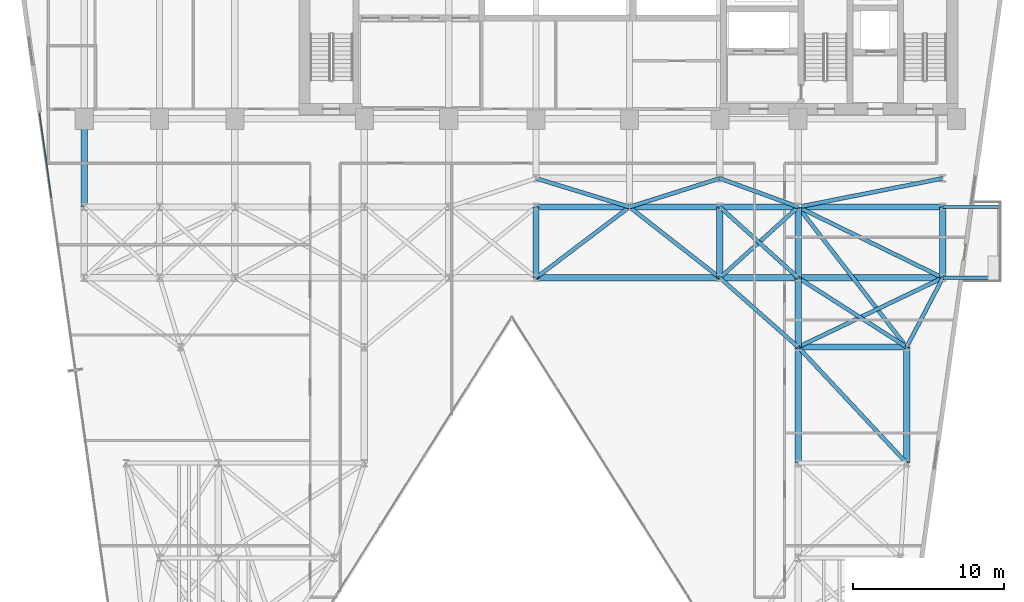
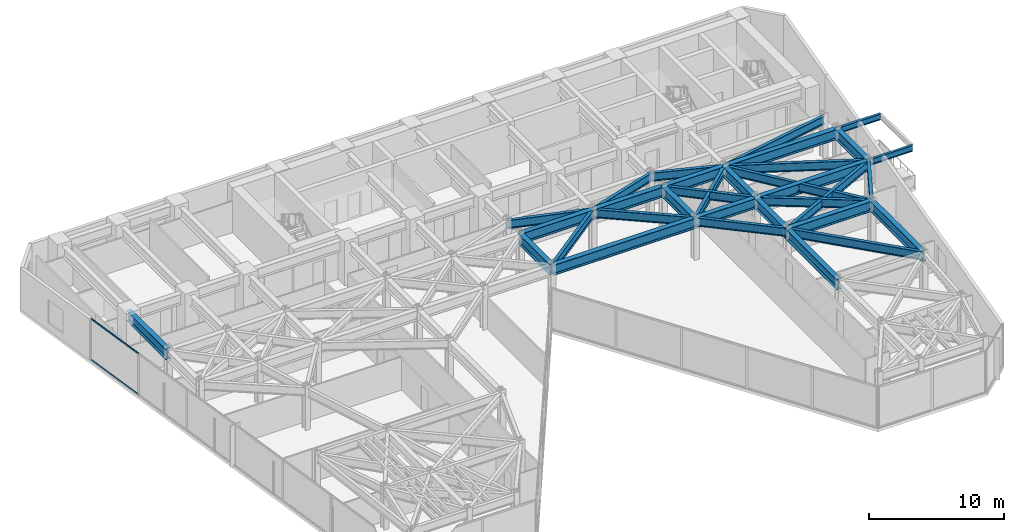
# One storey, part 16 of 25: 33 beams, 2 members, 1 element without a shape of its own.
"""IFC4 building model written with IfcOpenShell, lengths in metres."""

from ifc_helpers import new_model, si_unit, direction, frame, origin, origin_2d, place, context, subcontext, project, spatial, hollow_rectangle, i_section, extrude, material, layer, layer_set, material_profile, profile_set, type_object, element, aggregate, save


model = new_model("IFC4")

# Units and contexts
model_context = context("Model", 3, precision=1e-05, world=origin(), true_north=direction((0.0, 1.0)))
body_context = subcontext(model_context, "Body", "Model", "MODEL_VIEW")
ifc_project = project(units=[si_unit("LENGTHUNIT", "METRE"), si_unit("AREAUNIT", "SQUARE_METRE"), si_unit("VOLUMEUNIT", "CUBIC_METRE"), si_unit("PLANEANGLEUNIT", "RADIAN"), si_unit("MASSUNIT", "GRAM", prefix="KILO")], contexts=[model_context])

# Site, building, storey
site_placement = place(None, origin())
site = spatial("IfcSite", under=ifc_project, at=site_placement, CompositionType="ELEMENT")
building_placement = place(site_placement, origin())
building = spatial("IfcBuilding", under=site, at=building_placement, Name="Kravanh Interchange Tower", CompositionType="ELEMENT")
storey_placement = place(building_placement, frame((0.0, 0.0, 65.5)))
storey = spatial("IfcBuildingStorey", under=building, at=storey_placement, Name="L15", CompositionType="ELEMENT", Elevation=65.5)

# Curtain wall, members
ifc_material_1 = material(Name="Anodised Bronze Aluminium", Category="aluminium")
ifc_layer = layer(ifc_material_1, 0.179931640625)
ifc_layer_set = layer_set([ifc_layer], Name="Unitised Curtain Wall System CW-Z1 Lower Office")
curtain_wall_type = type_object("IfcCurtainWallType", Name="Unitised Curtain Wall System CW-Z1 Lower Office", PredefinedType="NOTDEFINED", material=ifc_layer_set)
curtain_wall_placement = place(storey_placement, origin())
curtain_wall = element("IfcCurtainWall", 1, at=curtain_wall_placement, inside=storey, type_object=curtain_wall_type, Name="L15 Unitised Curtain Wall CW-L15-01", PredefinedType="NOTDEFINED")
ifc_material_2 = material(Name="Anodised Bronze Aluminium", Category="aluminium")
ifc_material_profile_1 = material_profile(ifc_material_2, hollow_rectangle(XDim=0.06005859375, YDim=0.139892578125, WallThickness=0.00390625, at=origin_2d()), Name="ALU60X140X4")
ifc_profile_set_1 = profile_set([ifc_material_profile_1], Name="Anodised Bronze Aluminium")
member_type = type_object("IfcMemberType", Name="Curtain Wall Transom ALU60X140X4 Bronze", PredefinedType="USERDEFINED", material=ifc_profile_set_1)
member_1_placement = place(storey_placement, frame((6.422607421875, 32.1240234375, 0.030029296875), z_axis=(-0.139193386559, 0.990265217575, 0.0), x_axis=(-0.990265217575, -0.139193386559, 0.0)))
member_1 = element("IfcMember", 2, at=member_1_placement, type_object=member_type, Name="CW-Z1 transom 6.1", ObjectType="TRANSOM", PredefinedType="USERDEFINED", context=body_context, shape_type="SweptSolid", body=[
    extrude(hollow_rectangle(XDim=0.06005859375, YDim=0.139892578125, WallThickness=0.00390625, at=origin_2d()), origin(), (0.0, 0.0, 1.0), 5.661865234375),
])
member_2_placement = place(storey_placement, frame((6.422607421875, 32.1240234375, 3.7099609375), z_axis=(-0.139193386559, 0.990265217575, 0.0), x_axis=(-0.990265217575, -0.139193386559, 0.0)))
member_2 = element("IfcMember", 3, at=member_2_placement, type_object=member_type, Name="CW-Z1 transom 6.2", ObjectType="TRANSOM", PredefinedType="USERDEFINED", context=body_context, shape_type="SweptSolid", body=[
    extrude(hollow_rectangle(XDim=0.06005859375, YDim=0.139892578125, WallThickness=0.00390625, at=origin_2d()), origin(), (0.0, 0.0, 1.0), 5.661865234375),
])
aggregate(curtain_wall, [member_1, member_2])

# Beams
ifc_material_3 = material(Name="Structural Steel S355", Category="steel")
ifc_material_profile_2 = material_profile(ifc_material_3, i_section(OverallWidth=0.41796875, OverallDepth=0.927001953125, WebThickness=0.019287109375, FlangeThickness=0.031982421875, FilletRadius=0.028076171875, at=origin_2d()), Name="W36X231")
ifc_profile_set_2 = profile_set([ifc_material_profile_2], Name="Structural Steel S355")
beam_type_1 = type_object("IfcBeamType", Name="Floor Beam W36X231 Structural Steel S355", PredefinedType="BEAM", material=ifc_profile_set_2)
beam_1_placement = place(storey_placement, frame((8.60009765625, 37.35009765625, 3.276611328125), z_axis=(0.0, -1.0, 0.0), x_axis=(1.0, 0.0, 0.0)))
element("IfcBeam", 4, at=beam_1_placement, inside=storey, type_object=beam_type_1, Name="L15 Primary Floor Girder 36", PredefinedType="BEAM", context=body_context, shape_type="SweptSolid", body=[
    extrude(i_section(OverallWidth=0.41796875, OverallDepth=0.927001953125, WebThickness=0.019287109375, FlangeThickness=0.031982421875, FilletRadius=0.028076171875, at=origin_2d()), origin(), (0.0, 0.0, 1.0), 5.85009765625),
])
for number, where, z_axis, x_axis, name in (
    (5, (56.0, 14.5, 3.276611328125), (0.0, 1.0, 0.0), (-1.0, 0.0, 0.0), "L15 Primary Floor Girder 44"),
    (6, (63.199951171875, 14.5, 3.276611328125), (0.0, 1.0, 0.0), (-1.0, 0.0, 0.0), "L15 Primary Floor Girder 47"),
):
    element("IfcBeam", number, at=place(storey_placement, frame(where, z_axis=z_axis, x_axis=x_axis)), inside=storey, type_object=beam_type_1, Name=name, PredefinedType="BEAM", context=body_context, shape_type="SweptSolid", body=[
        extrude(i_section(OverallWidth=0.41796875, OverallDepth=0.927001953125, WebThickness=0.019287109375, FlangeThickness=0.031982421875, FilletRadius=0.028076171875, at=origin_2d()), origin(), (0.0, 0.0, 1.0), 7.699951171875),
    ])
beam_2_placement = place(storey_placement, frame((56.0, 22.199951171875, 3.276611328125), z_axis=(0.0, 1.0, 0.0), x_axis=(-1.0, 0.0, 0.0)))
element("IfcBeam", 7, at=beam_2_placement, inside=storey, type_object=beam_type_1, Name="L15 Primary Floor Girder 58", PredefinedType="BEAM", context=body_context, shape_type="SweptSolid", body=[
    extrude(i_section(OverallWidth=0.41796875, OverallDepth=0.927001953125, WebThickness=0.019287109375, FlangeThickness=0.031982421875, FilletRadius=0.028076171875, at=origin_2d()), origin(), (0.0, 0.0, 1.0), 4.60009765625),
])
beam_3_placement = place(storey_placement, frame((56.0, 22.199951171875, 3.276611328125), z_axis=(1.0, 0.0, 0.0), x_axis=(0.0, 1.0, 0.0)))
element("IfcBeam", 8, at=beam_3_placement, inside=storey, type_object=beam_type_1, Name="L15 Primary Floor Girder 60", PredefinedType="BEAM", context=body_context, shape_type="SweptSolid", body=[
    extrude(i_section(OverallWidth=0.41796875, OverallDepth=0.927001953125, WebThickness=0.019287109375, FlangeThickness=0.031982421875, FilletRadius=0.028076171875, at=origin_2d()), origin(), (0.0, 0.0, 1.0), 7.199951171875),
])
beam_4_placement = place(storey_placement, frame((38.60009765625, 26.800048828125, 3.276611328125), z_axis=(0.0, 1.0, 0.0), x_axis=(-1.0, 0.0, 0.0)))
element("IfcBeam", 9, at=beam_4_placement, inside=storey, type_object=beam_type_1, Name="L15 Primary Floor Girder 86", PredefinedType="BEAM", context=body_context, shape_type="SweptSolid", body=[
    extrude(i_section(OverallWidth=0.41796875, OverallDepth=0.927001953125, WebThickness=0.019287109375, FlangeThickness=0.031982421875, FilletRadius=0.028076171875, at=origin_2d()), origin(), (0.0, 0.0, 1.0), 4.699951171875),
])
beam_5_placement = place(storey_placement, frame((38.60009765625, 26.800048828125, 3.276611328125), z_axis=(1.0, 0.0, 0.0), x_axis=(0.0, 1.0, 0.0)))
element("IfcBeam", 10, at=beam_5_placement, inside=storey, type_object=beam_type_1, Name="L15 Primary Floor Girder 89", PredefinedType="BEAM", context=body_context, shape_type="SweptSolid", body=[
    extrude(i_section(OverallWidth=0.41796875, OverallDepth=0.927001953125, WebThickness=0.019287109375, FlangeThickness=0.031982421875, FilletRadius=0.028076171875, at=origin_2d()), origin(), (0.0, 0.0, 1.0), 12.199951171875),
])
beam_6_placement = place(storey_placement, frame((50.800048828125, 26.800048828125, 3.276611328125), z_axis=(0.0, 1.0, 0.0), x_axis=(-1.0, 0.0, 0.0)))
element("IfcBeam", 11, at=beam_6_placement, inside=storey, type_object=beam_type_1, Name="L15 Primary Floor Girder 90", PredefinedType="BEAM", context=body_context, shape_type="SweptSolid", body=[
    extrude(i_section(OverallWidth=0.41796875, OverallDepth=0.927001953125, WebThickness=0.019287109375, FlangeThickness=0.031982421875, FilletRadius=0.028076171875, at=origin_2d()), origin(), (0.0, 0.0, 1.0), 4.699951171875),
])
beam_7_placement = place(storey_placement, frame((50.800048828125, 26.800048828125, 3.276611328125), z_axis=(1.0, 0.0, 0.0), x_axis=(0.0, 1.0, 0.0)))
element("IfcBeam", 12, at=beam_7_placement, inside=storey, type_object=beam_type_1, Name="L15 Primary Floor Girder 91", PredefinedType="BEAM", context=body_context, shape_type="SweptSolid", body=[
    extrude(i_section(OverallWidth=0.41796875, OverallDepth=0.927001953125, WebThickness=0.019287109375, FlangeThickness=0.031982421875, FilletRadius=0.028076171875, at=origin_2d()), origin(), (0.0, 0.0, 1.0), 5.199951171875),
])
beam_8_placement = place(storey_placement, frame((56.0, 26.800048828125, 3.276611328125), z_axis=(0.0, 1.0, 0.0), x_axis=(-1.0, 0.0, 0.0)))
element("IfcBeam", 13, at=beam_8_placement, inside=storey, type_object=beam_type_1, Name="L15 Primary Floor Girder 94", PredefinedType="BEAM", context=body_context, shape_type="SweptSolid", body=[
    extrude(i_section(OverallWidth=0.41796875, OverallDepth=0.927001953125, WebThickness=0.019287109375, FlangeThickness=0.031982421875, FilletRadius=0.028076171875, at=origin_2d()), origin(), (0.0, 0.0, 1.0), 4.699951171875),
])
beam_9_placement = place(storey_placement, frame((56.0, 26.800048828125, 3.276611328125), z_axis=(1.0, 0.0, 0.0), x_axis=(0.0, 1.0, 0.0)))
element("IfcBeam", 14, at=beam_9_placement, inside=storey, type_object=beam_type_1, Name="L15 Primary Floor Girder 97", PredefinedType="BEAM", context=body_context, shape_type="SweptSolid", body=[
    extrude(i_section(OverallWidth=0.41796875, OverallDepth=0.927001953125, WebThickness=0.019287109375, FlangeThickness=0.031982421875, FilletRadius=0.028076171875, at=origin_2d()), origin(), (0.0, 0.0, 1.0), 9.60009765625),
])
beam_10_placement = place(storey_placement, frame((65.60009765625, 26.800048828125, 3.276611328125), z_axis=(0.0, 1.0, 0.0), x_axis=(-1.0, 0.0, 0.0)))
element("IfcBeam", 15, at=beam_10_placement, inside=storey, type_object=beam_type_1, Name="L15 Primary Floor Girder 98", PredefinedType="BEAM", context=body_context, shape_type="SweptSolid", body=[
    extrude(i_section(OverallWidth=0.41796875, OverallDepth=0.927001953125, WebThickness=0.019287109375, FlangeThickness=0.031982421875, FilletRadius=0.028076171875, at=origin_2d()), origin(), (0.0, 0.0, 1.0), 4.699951171875),
])
beam_11_placement = place(storey_placement, frame((38.60009765625, 31.5, 3.276611328125), z_axis=(1.0, 0.0, 0.0), x_axis=(0.0, 1.0, 0.0)))
element("IfcBeam", 16, at=beam_11_placement, inside=storey, type_object=beam_type_1, Name="L15 Primary Floor Girder 111", PredefinedType="BEAM", context=body_context, shape_type="SweptSolid", body=[
    extrude(i_section(OverallWidth=0.41796875, OverallDepth=0.927001953125, WebThickness=0.019287109375, FlangeThickness=0.031982421875, FilletRadius=0.028076171875, at=origin_2d()), origin(), (0.0, 0.0, 1.0), 6.199951171875),
])
beam_12_placement = place(storey_placement, frame((44.800048828125, 31.5, 3.276611328125), z_axis=(1.0, 0.0, 0.0), x_axis=(0.0, 1.0, 0.0)))
element("IfcBeam", 17, at=beam_12_placement, inside=storey, type_object=beam_type_1, Name="L15 Primary Floor Girder 113", PredefinedType="BEAM", context=body_context, shape_type="SweptSolid", body=[
    extrude(i_section(OverallWidth=0.41796875, OverallDepth=0.927001953125, WebThickness=0.019287109375, FlangeThickness=0.031982421875, FilletRadius=0.028076171875, at=origin_2d()), origin(), (0.0, 0.0, 1.0), 6.0),
])
beam_13_placement = place(storey_placement, frame((50.800048828125, 31.5, 3.276611328125), z_axis=(1.0, 0.0, 0.0), x_axis=(0.0, 1.0, 0.0)))
element("IfcBeam", 18, at=beam_13_placement, inside=storey, type_object=beam_type_1, Name="L15 Primary Floor Girder 116", PredefinedType="BEAM", context=body_context, shape_type="SweptSolid", body=[
    extrude(i_section(OverallWidth=0.41796875, OverallDepth=0.927001953125, WebThickness=0.019287109375, FlangeThickness=0.031982421875, FilletRadius=0.028076171875, at=origin_2d()), origin(), (0.0, 0.0, 1.0), 5.199951171875),
])
beam_14_placement = place(storey_placement, frame((56.0, 31.5, 3.276611328125), z_axis=(1.0, 0.0, 0.0), x_axis=(0.0, 1.0, 0.0)))
element("IfcBeam", 19, at=beam_14_placement, inside=storey, type_object=beam_type_1, Name="L15 Primary Floor Girder 119", PredefinedType="BEAM", context=body_context, shape_type="SweptSolid", body=[
    extrude(i_section(OverallWidth=0.41796875, OverallDepth=0.927001953125, WebThickness=0.019287109375, FlangeThickness=0.031982421875, FilletRadius=0.028076171875, at=origin_2d()), origin(), (0.0, 0.0, 1.0), 9.60009765625),
])
ifc_material_4 = material(Name="Structural Steel S355", Category="steel")
ifc_material_profile_3 = material_profile(ifc_material_4, i_section(OverallWidth=0.2099609375, OverallDepth=0.537109375, WebThickness=0.010986328125, FlangeThickness=0.017333984375, FilletRadius=0.02001953125, at=origin_2d()), Name="W21X68")
ifc_profile_set_3 = profile_set([ifc_material_profile_3], Name="Structural Steel S355")
beam_type_2 = type_object("IfcBeamType", Name="Floor Spandrel W21X68 Structural Steel S355", PredefinedType="SPANDREL", material=ifc_profile_set_3)
for number, where, z_axis, x_axis, name in (
    (20, (65.60009765625, 26.800048828125, 3.471435546875), (1.0, 0.0, 0.0), (0.0, 1.0, 0.0), "L15 Balcony Cantilever Outrigger E1"),
    (21, (65.60009765625, 31.5, 3.471435546875), (1.0, 0.0, 0.0), (0.0, 1.0, 0.0), "L15 Balcony Cantilever Outrigger E2"),
):
    element("IfcBeam", number, at=place(storey_placement, frame(where, z_axis=z_axis, x_axis=x_axis)), inside=storey, type_object=beam_type_2, Name=name, PredefinedType="SPANDREL", context=body_context, shape_type="SweptSolid", body=[
        extrude(i_section(OverallWidth=0.2099609375, OverallDepth=0.537109375, WebThickness=0.010986328125, FlangeThickness=0.017333984375, FilletRadius=0.02001953125, at=origin_2d()), origin(), (0.0, 0.0, 1.0), 3.72998046875),
    ])
ifc_material_5 = material(Name="Structural Steel S355", Category="steel")
ifc_material_profile_4 = material_profile(ifc_material_5, i_section(OverallWidth=0.26708984375, OverallDepth=0.761962890625, WebThickness=0.014404296875, FlangeThickness=0.021484375, FilletRadius=0.02490234375, at=origin_2d()), Name="W30X116")
ifc_profile_set_4 = profile_set([ifc_material_profile_4], Name="Structural Steel S355")
beam_type_3 = type_object("IfcBeamType", Name="Floor Spandrel W30X116 Structural Steel S355", PredefinedType="SPANDREL", material=ifc_profile_set_4)
beam_15_placement = place(storey_placement, frame((63.199951171875, 14.5, 3.35888671875), z_axis=(-0.682993762113, 0.73042420614, 0.0), x_axis=(-0.73042420614, -0.682993762113, 0.0)))
element("IfcBeam", 22, at=beam_15_placement, inside=storey, type_object=beam_type_3, Name="L15 Perimeter Spandrel 49", PredefinedType="SPANDREL", context=body_context, shape_type="SweptSolid", body=[
    extrude(i_section(OverallWidth=0.26708984375, OverallDepth=0.761962890625, WebThickness=0.014404296875, FlangeThickness=0.021484375, FilletRadius=0.02490234375, at=origin_2d()), origin(), (0.0, 0.0, 1.0), 10.541748046875),
])
beam_16_placement = place(storey_placement, frame((56.0, 22.199951171875, 3.35888671875), z_axis=(-0.74898649432, 0.662585263439, 0.0), x_axis=(-0.662585263439, -0.74898649432, 0.0)))
element("IfcBeam", 23, at=beam_16_placement, inside=storey, type_object=beam_type_3, Name="L15 Perimeter Spandrel 59", PredefinedType="SPANDREL", context=body_context, shape_type="SweptSolid", body=[
    extrude(i_section(OverallWidth=0.26708984375, OverallDepth=0.761962890625, WebThickness=0.014404296875, FlangeThickness=0.021484375, FilletRadius=0.02490234375, at=origin_2d()), origin(), (0.0, 0.0, 1.0), 6.942626953125),
])
beam_17_placement = place(storey_placement, frame((56.0, 22.199951171875, 3.35888671875), z_axis=(0.901814166789, 0.432124066188, 0.0), x_axis=(-0.432124066188, 0.901814166789, 0.0)))
element("IfcBeam", 24, at=beam_17_placement, inside=storey, type_object=beam_type_3, Name="L15 Perimeter Spandrel 61", PredefinedType="SPANDREL", context=body_context, shape_type="SweptSolid", body=[
    extrude(i_section(OverallWidth=0.26708984375, OverallDepth=0.761962890625, WebThickness=0.014404296875, FlangeThickness=0.021484375, FilletRadius=0.02490234375, at=origin_2d()), origin(), (0.0, 0.0, 1.0), 10.645263671875),
])
beam_18_placement = place(storey_placement, frame((63.199951171875, 22.199951171875, 3.35888671875), z_axis=(0.462580479178, 0.886577295155, 0.0), x_axis=(-0.886577295155, 0.462580479178, 0.0)))
element("IfcBeam", 25, at=beam_18_placement, inside=storey, type_object=beam_type_3, Name="L15 Perimeter Spandrel 62", PredefinedType="SPANDREL", context=body_context, shape_type="SweptSolid", body=[
    extrude(i_section(OverallWidth=0.26708984375, OverallDepth=0.761962890625, WebThickness=0.014404296875, FlangeThickness=0.021484375, FilletRadius=0.02490234375, at=origin_2d()), origin(), (0.0, 0.0, 1.0), 5.188720703125),
])
beam_19_placement = place(storey_placement, frame((63.199951171875, 22.199951171875, 3.35888671875), z_axis=(-0.842689417531, 0.53839998661, 0.0), x_axis=(-0.53839998661, -0.842689417531, 0.0)))
element("IfcBeam", 26, at=beam_19_placement, inside=storey, type_object=beam_type_3, Name="L15 Perimeter Spandrel 63", PredefinedType="SPANDREL", context=body_context, shape_type="SweptSolid", body=[
    extrude(i_section(OverallWidth=0.26708984375, OverallDepth=0.761962890625, WebThickness=0.014404296875, FlangeThickness=0.021484375, FilletRadius=0.02490234375, at=origin_2d()), origin(), (0.0, 0.0, 1.0), 8.5439453125),
])
beam_20_placement = place(storey_placement, frame((63.199951171875, 22.199951171875, 3.35888671875), z_axis=(-0.612168587637, 0.790727273028, 0.0), x_axis=(-0.790727273028, -0.612168587637, 0.0)))
element("IfcBeam", 27, at=beam_20_placement, inside=storey, type_object=beam_type_3, Name="L15 Perimeter Spandrel 65", PredefinedType="SPANDREL", context=body_context, shape_type="SweptSolid", body=[
    extrude(i_section(OverallWidth=0.26708984375, OverallDepth=0.761962890625, WebThickness=0.014404296875, FlangeThickness=0.021484375, FilletRadius=0.02490234375, at=origin_2d()), origin(), (0.0, 0.0, 1.0), 11.761474609375),
])
beam_21_placement = place(storey_placement, frame((38.60009765625, 26.800048828125, 3.35888671875), z_axis=(0.796905365509, 0.604104161898, 0.0), x_axis=(-0.604104161898, 0.796905365509, 0.0)))
element("IfcBeam", 28, at=beam_21_placement, inside=storey, type_object=beam_type_3, Name="L15 Perimeter Spandrel 88", PredefinedType="SPANDREL", context=body_context, shape_type="SweptSolid", body=[
    extrude(i_section(OverallWidth=0.26708984375, OverallDepth=0.761962890625, WebThickness=0.014404296875, FlangeThickness=0.021484375, FilletRadius=0.02490234375, at=origin_2d()), origin(), (0.0, 0.0, 1.0), 7.780029296875),
])
beam_22_placement = place(storey_placement, frame((50.800048828125, 26.800048828125, 3.35888671875), z_axis=(0.741874009795, 0.670539300557, 0.0), x_axis=(-0.670539300557, 0.741874009795, 0.0)))
element("IfcBeam", 29, at=beam_22_placement, inside=storey, type_object=beam_type_3, Name="L15 Perimeter Spandrel 92", PredefinedType="SPANDREL", context=body_context, shape_type="SweptSolid", body=[
    extrude(i_section(OverallWidth=0.26708984375, OverallDepth=0.761962890625, WebThickness=0.014404296875, FlangeThickness=0.021484375, FilletRadius=0.02490234375, at=origin_2d()), origin(), (0.0, 0.0, 1.0), 7.00927734375),
])
beam_23_placement = place(storey_placement, frame((50.800048828125, 26.800048828125, 3.35888671875), z_axis=(-0.787231163579, 0.616658004967, 0.0), x_axis=(-0.616658004967, -0.787231163579, 0.0)))
element("IfcBeam", 30, at=beam_23_placement, inside=storey, type_object=beam_type_3, Name="L15 Perimeter Spandrel 93", PredefinedType="SPANDREL", context=body_context, shape_type="SweptSolid", body=[
    extrude(i_section(OverallWidth=0.26708984375, OverallDepth=0.761962890625, WebThickness=0.014404296875, FlangeThickness=0.021484375, FilletRadius=0.02490234375, at=origin_2d()), origin(), (0.0, 0.0, 1.0), 7.62158203125),
])
beam_24_placement = place(storey_placement, frame((56.0, 26.800048828125, 3.35888671875), z_axis=(-0.741874009795, 0.670539300557, 0.0), x_axis=(-0.670539300557, -0.741874009795, 0.0)))
element("IfcBeam", 31, at=beam_24_placement, inside=storey, type_object=beam_type_3, Name="L15 Perimeter Spandrel 95", PredefinedType="SPANDREL", context=body_context, shape_type="SweptSolid", body=[
    extrude(i_section(OverallWidth=0.26708984375, OverallDepth=0.761962890625, WebThickness=0.014404296875, FlangeThickness=0.021484375, FilletRadius=0.02490234375, at=origin_2d()), origin(), (0.0, 0.0, 1.0), 7.00927734375),
])
beam_25_placement = place(storey_placement, frame((65.60009765625, 26.800048828125, 3.35888671875), z_axis=(-0.898141688387, 0.439706160499, 0.0), x_axis=(-0.439706160499, -0.898141688387, 0.0)))
element("IfcBeam", 32, at=beam_25_placement, inside=storey, type_object=beam_type_3, Name="L15 Perimeter Spandrel 99", PredefinedType="SPANDREL", context=body_context, shape_type="SweptSolid", body=[
    extrude(i_section(OverallWidth=0.26708984375, OverallDepth=0.761962890625, WebThickness=0.014404296875, FlangeThickness=0.021484375, FilletRadius=0.02490234375, at=origin_2d()), origin(), (0.0, 0.0, 1.0), 10.68896484375),
])
beam_26_placement = place(storey_placement, frame((44.800048828125, 31.5, 3.35888671875), z_axis=(0.953346691051, 0.301877602122, 0.0), x_axis=(-0.301877602122, 0.953346691051, 0.0)))
element("IfcBeam", 33, at=beam_26_placement, inside=storey, type_object=beam_type_3, Name="L15 Perimeter Spandrel 114", PredefinedType="SPANDREL", context=body_context, shape_type="SweptSolid", body=[
    extrude(i_section(OverallWidth=0.26708984375, OverallDepth=0.761962890625, WebThickness=0.014404296875, FlangeThickness=0.021484375, FilletRadius=0.02490234375, at=origin_2d()), origin(), (0.0, 0.0, 1.0), 6.293701171875),
])
beam_27_placement = place(storey_placement, frame((44.800048828125, 31.5, 3.35888671875), z_axis=(-0.956115397264, 0.292990353279, 0.0), x_axis=(-0.292990353279, -0.956115397264, 0.0)))
element("IfcBeam", 34, at=beam_27_placement, inside=storey, type_object=beam_type_3, Name="L15 Perimeter Spandrel 115", PredefinedType="SPANDREL", context=body_context, shape_type="SweptSolid", body=[
    extrude(i_section(OverallWidth=0.26708984375, OverallDepth=0.761962890625, WebThickness=0.014404296875, FlangeThickness=0.021484375, FilletRadius=0.02490234375, at=origin_2d()), origin(), (0.0, 0.0, 1.0), 6.484619140625),
])
beam_28_placement = place(storey_placement, frame((56.0, 31.5, 3.35888671875), z_axis=(-0.93926957103, 0.343180233896, 0.0), x_axis=(-0.343180233896, -0.93926957103, 0.0)))
element("IfcBeam", 35, at=beam_28_placement, inside=storey, type_object=beam_type_3, Name="L15 Perimeter Spandrel 118", PredefinedType="SPANDREL", context=body_context, shape_type="SweptSolid", body=[
    extrude(i_section(OverallWidth=0.26708984375, OverallDepth=0.761962890625, WebThickness=0.014404296875, FlangeThickness=0.021484375, FilletRadius=0.02490234375, at=origin_2d()), origin(), (0.0, 0.0, 1.0), 5.5361328125),
])
beam_29_placement = place(storey_placement, frame((56.0, 31.5, 3.35888671875), z_axis=(0.980974000807, 0.194139150457, 0.0), x_axis=(-0.194139150457, 0.980974000807, 0.0)))
element("IfcBeam", 36, at=beam_29_placement, inside=storey, type_object=beam_type_3, Name="L15 Perimeter Spandrel 120", PredefinedType="SPANDREL", context=body_context, shape_type="SweptSolid", body=[
    extrude(i_section(OverallWidth=0.26708984375, OverallDepth=0.761962890625, WebThickness=0.014404296875, FlangeThickness=0.021484375, FilletRadius=0.02490234375, at=origin_2d()), origin(), (0.0, 0.0, 1.0), 9.786376953125),
])

save(model, "model.ifc")
